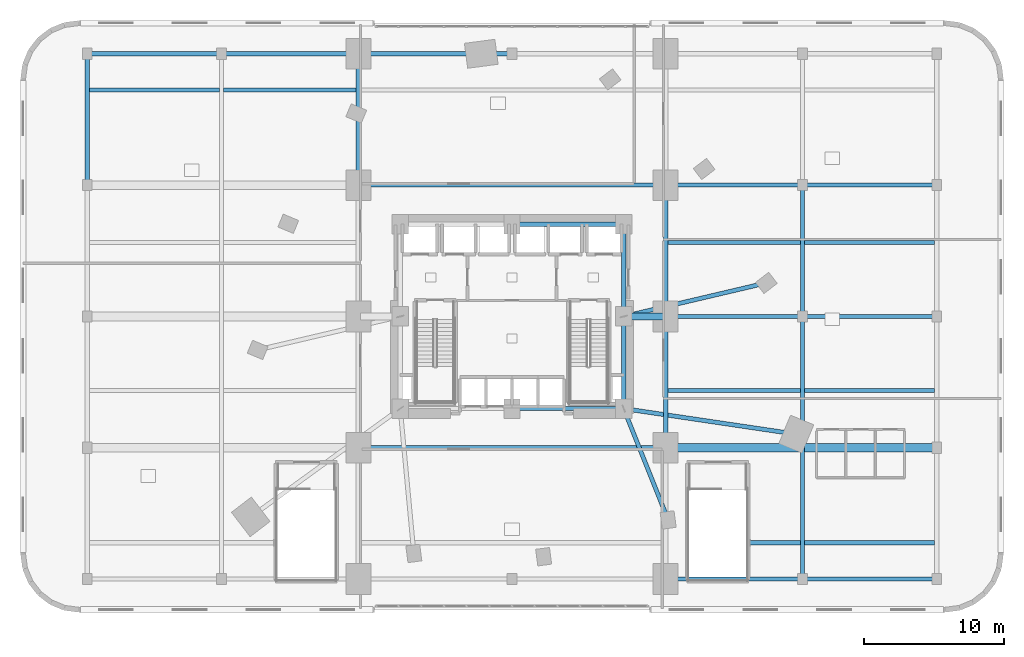
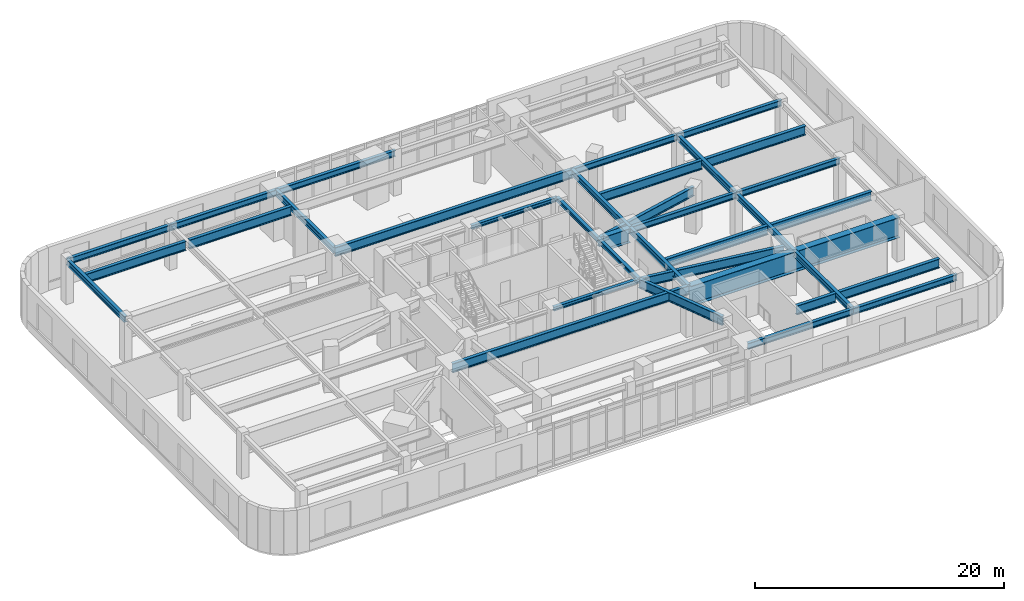
# One storey, part 7 of 20: 34 beams.
"""IFC4 building model written with IfcOpenShell, lengths in metres."""

import ifcopenshell
import ifcopenshell.guid

model = None  # the IFC model being written
_history = None  # IfcOwnerHistory: only IFC2X3 demands one
_inside = {}  # id of a spatial element -> (the spatial element, [elements in it])
_under = {}  # id of a project, library or spatial element -> (it, [spatial elements below it])
_declared = {}  # id of a project -> (the project, [libraries it declares])
_typed = {}  # id of a type object -> (the type object, [elements of that type])
_made_of = {}  # id of a material, layer set ... -> (it, [elements and type objects made of it])


def new_model(schema):
    """Start an empty IFC model of exactly this schema.

    Asked for "IFC4X3", IfcOpenShell would pick the latest addendum, in which some entities
    have other attributes; the version numbers below select the first issue.
    IFC2X3 requires an IfcOwnerHistory on every rooted entity: one is made here for all.
    """
    global model, _history
    if schema == "IFC4X3":
        model = ifcopenshell.file(schema_version=(4, 3, 0, 0))
    else:
        model = ifcopenshell.file(schema=schema)
    _inside.clear()
    _under.clear()
    _declared.clear()
    _typed.clear()
    _made_of.clear()
    _history = None
    if model.schema == "IFC2X3":
        org = make("IfcOrganization", Name="unknown")
        user = make(
            "IfcPersonAndOrganization",
            ThePerson=make("IfcPerson", FamilyName="unknown"),
            TheOrganization=org,
        )
        app = make(
            "IfcApplication",
            ApplicationDeveloper=org,
            Version="unknown",
            ApplicationFullName="unknown",
            ApplicationIdentifier="unknown",
        )
        _history = make(
            "IfcOwnerHistory",
            OwningUser=user,
            OwningApplication=app,
            ChangeAction="ADDED",
            CreationDate=0,
        )
    return model


def make(cls, **values):
    """One entity of the class cls with the attributes given. An attribute that is None is left unset."""
    return model.create_entity(
        cls, **{name: value for name, value in values.items() if value is not None}
    )


def rooted(cls, **values):
    """An entity with a GlobalId (a new one), such as an element, a storey or a relation."""
    return make(cls, GlobalId=ifcopenshell.guid.new(), OwnerHistory=_history, **values)


def si_unit(unit_type, name, prefix=None):
    """IfcSIUnit, for example si_unit("LENGTHUNIT", "METRE", prefix="MILLI")."""
    return make("IfcSIUnit", UnitType=unit_type, Prefix=prefix, Name=name)


def assignment(units):
    """IfcUnitAssignment: the units of a project."""
    return None if units is None else make("IfcUnitAssignment", Units=units)


def point(xyz):
    """IfcCartesianPoint."""
    return None if xyz is None else make("IfcCartesianPoint", Coordinates=xyz)


def direction(xyz):
    """IfcDirection."""
    return None if xyz is None else make("IfcDirection", DirectionRatios=xyz)


def frame(location, z_axis=None, x_axis=None):
    """IfcAxis2Placement3D, a coordinate frame: its origin and axes. An axis left out is left unset."""
    return make(
        "IfcAxis2Placement3D",
        Location=point(location),
        Axis=direction(z_axis),
        RefDirection=direction(x_axis),
    )


def frame_2d(location, x_axis=None):
    """IfcAxis2Placement2D, a coordinate frame in the plane: its origin and x axis."""
    return make(
        "IfcAxis2Placement2D", Location=point(location), RefDirection=direction(x_axis)
    )


def origin():
    """The frame at (0, 0, 0) with its axes left unset."""
    return frame((0.0, 0.0, 0.0))


def origin_2d():
    """The frame at (0, 0) in the plane with its x axis left unset."""
    return frame_2d((0.0, 0.0))


def place(relative_to, where):
    """IfcLocalPlacement: puts the frame where relative to a parent placement (None: the world)."""
    return make(
        "IfcLocalPlacement", PlacementRelTo=relative_to, RelativePlacement=where
    )


def context(
    kind, dimensions, precision=None, world=None, true_north=None, identifier=None
):
    """IfcGeometricRepresentationContext, for example the 3D "Model" context."""
    return make(
        "IfcGeometricRepresentationContext",
        ContextIdentifier=identifier,
        ContextType=kind,
        CoordinateSpaceDimension=dimensions,
        Precision=precision,
        WorldCoordinateSystem=world,
        TrueNorth=true_north,
    )


def subcontext(parent, identifier, kind, view, scale=None):
    """IfcGeometricRepresentationSubContext, for example "Body" below "Model"."""
    return make(
        "IfcGeometricRepresentationSubContext",
        ContextIdentifier=identifier,
        ContextType=kind,
        ParentContext=parent,
        TargetScale=scale,
        TargetView=view,
    )


def project(units=None, contexts=None):
    """IfcProject with its units and contexts."""
    return rooted(
        "IfcProject",
        Name="project",
        RepresentationContexts=contexts,
        UnitsInContext=assignment(units),
    )


def spatial(cls, under=None, at=None, **own):
    """A site, building, storey or space (cls), placed at a placement, below another one or the project."""
    s = rooted(cls, ObjectPlacement=at, **own)
    if under is not None:
        _under.setdefault(under.id(), (under, []))[1].append(s)
    return s


def profile(cls, at=None, kind="AREA", **sizes):
    """A parametric profile (cls). Its sizes go by their IFC names, for example OverallWidth=200.0."""
    return make(cls, ProfileType=kind, Position=at, **sizes)


def i_section(**sizes):
    """IfcIShapeProfileDef."""
    return profile("IfcIShapeProfileDef", **sizes)


def extrude(swept, where, along, depth):
    """IfcExtrudedAreaSolid: the profile swept, set in the frame where, extruded along a direction by depth."""
    return make(
        "IfcExtrudedAreaSolid",
        SweptArea=swept,
        Position=where,
        ExtrudedDirection=direction(along),
        Depth=depth,
    )


def shape(context_of_items, identifier, shape_type, items):
    """IfcShapeRepresentation: the items that make up one representation, for example the "Body"."""
    return make(
        "IfcShapeRepresentation",
        ContextOfItems=context_of_items,
        RepresentationIdentifier=identifier,
        RepresentationType=shape_type,
        Items=items,
    )


def material(Name=None, Category=None):
    """IfcMaterial."""
    return make("IfcMaterial", Name=Name, Category=Category)


def material_profile(
    of_material, cross_section, Name=None, Category=None, Priority=None
):
    """IfcMaterialProfile: a cross section and its material."""
    return make(
        "IfcMaterialProfile",
        Name=Name,
        Material=of_material,
        Profile=cross_section,
        Priority=Priority,
        Category=Category,
    )


def profile_set(profiles, Name=None, composite=None):
    """IfcMaterialProfileSet."""
    return make(
        "IfcMaterialProfileSet",
        Name=Name,
        MaterialProfiles=profiles,
        CompositeProfile=composite,
    )


def made_of(thing, what):
    """Note that an element or type object is made of a material, layer set ...; save() writes the relation."""
    if what is not None:
        _made_of.setdefault(what.id(), (what, []))[1].append(thing)
    return thing


def type_object(cls, material=None, **own):
    """A type object (cls), such as IfcWallType, which elements share."""
    return made_of(rooted(cls, **own), material)


def element(
    cls,
    number,
    at=None,
    inside=None,
    cuts=None,
    type_object=None,
    material=None,
    context=None,
    identifier="Body",
    shape_type=None,
    held_by="IfcProductDefinitionShape",
    body=None,
    shapes=None,
    **own,
):
    """One element of the class cls, such as IfcWall. Its Tag is "e" and its number.

    at: its placement. inside: the storey or other place that contains it. cuts: it is an
    opening in that element (IfcRelVoidsElement). A single representation is given by context,
    identifier, shape_type and body (its items); several are given by shapes. held_by: the class
    of the entity that holds the representations. save() writes the other relations.
    """
    e = rooted(cls, Tag="e%d" % number, ObjectPlacement=at, **own)
    if body is not None:
        shapes = [shape(context, identifier, shape_type, body)]
    if shapes is not None:
        e.Representation = make(held_by, Representations=shapes)
    if inside is not None:
        _inside.setdefault(inside.id(), (inside, []))[1].append(e)
    if cuts is not None:
        rooted(
            "IfcRelVoidsElement", RelatingBuildingElement=cuts, RelatedOpeningElement=e
        )
    if type_object is not None:
        _typed.setdefault(type_object.id(), (type_object, []))[1].append(e)
    return made_of(e, material)


def aggregate(whole, parts):
    """IfcRelAggregates: a whole, such as a stair, and the parts it consists of."""
    return rooted("IfcRelAggregates", RelatingObject=whole, RelatedObjects=parts)


def save(model, path):
    """Write the relations noted so far, then the file.

    IfcRelAggregates (storeys below a building ...), IfcRelContainedInSpatialStructure (elements
    in a storey), IfcRelDefinesByType, IfcRelAssociatesMaterial and IfcRelDeclares: one each for
    every whole, place, type object, material and project.
    """
    for whole, parts in _under.values():
        aggregate(whole, parts)
    for where, things in _inside.values():
        rooted(
            "IfcRelContainedInSpatialStructure",
            RelatedElements=things,
            RelatingStructure=where,
        )
    for kind, things in _typed.values():
        rooted("IfcRelDefinesByType", RelatedObjects=things, RelatingType=kind)
    for what, things in _made_of.values():
        rooted("IfcRelAssociatesMaterial", RelatedObjects=things, RelatingMaterial=what)
    for by, libraries in _declared.values():
        rooted("IfcRelDeclares", RelatingContext=by, RelatedDefinitions=libraries)
    model.write(path)


model = new_model("IFC4")

# Units and contexts
model_context = context("Model", 3, precision=1e-05, world=origin(), true_north=direction((0.0, 1.0)))
body_context = subcontext(model_context, "Body", "Model", "MODEL_VIEW")
ifc_project = project(units=[si_unit("LENGTHUNIT", "METRE"), si_unit("AREAUNIT", "SQUARE_METRE"), si_unit("VOLUMEUNIT", "CUBIC_METRE"), si_unit("PLANEANGLEUNIT", "RADIAN"), si_unit("MASSUNIT", "GRAM", prefix="KILO")], contexts=[model_context])

# Site, building, storey
site_placement = place(None, origin())
site = spatial("IfcSite", under=ifc_project, at=site_placement, CompositionType="ELEMENT")
building_placement = place(site_placement, origin())
building = spatial("IfcBuilding", under=site, at=building_placement, Name="Ndelora Gate Hotel", CompositionType="ELEMENT")
storey_placement = place(building_placement, frame((0.0, 0.0, 26.0)))
storey = spatial("IfcBuildingStorey", under=building, at=storey_placement, Name="L05", CompositionType="ELEMENT", Elevation=26.0)

# Beams
ifc_material_1 = material(Name="Steel S460", Category="steel")
ifc_material_profile_1 = material_profile(ifc_material_1, i_section(OverallWidth=0.300048828125, OverallDepth=0.89990234375, WebThickness=0.0185546875, FlangeThickness=0.034912109375, FilletRadius=0.030029296875, at=origin_2d()), Name="HEB 900")
ifc_profile_set_1 = profile_set([ifc_material_profile_1], Name="Steel S460")
beam_type_1 = type_object("IfcBeamType", Name="BM-BELT-900", PredefinedType="SPANDREL", material=ifc_profile_set_1)
beam_1_placement = place(storey_placement, frame((16.989990234375, -16.199951171875, 3.7900390625), z_axis=(1.0, 0.0, 0.0), x_axis=(0.0, 1.0, 0.0)))
element("IfcBeam", 1, at=beam_1_placement, inside=storey, type_object=beam_type_1, Name="L05 Podium Composite Secondary Joist 4", PredefinedType="SPANDREL", context=body_context, shape_type="SweptSolid", body=[
    extrude(i_section(OverallWidth=0.300048828125, OverallDepth=0.89990234375, WebThickness=0.0185546875, FlangeThickness=0.034912109375, FilletRadius=0.030029296875, at=origin_2d()), origin(), (0.0, 0.0, 1.0), 3.659912109375),
])
beam_2_placement = place(storey_placement, frame((20.949951171875, -16.199951171875, 3.7900390625), z_axis=(1.0, 0.0, 0.0), x_axis=(0.0, 1.0, 0.0)))
element("IfcBeam", 2, at=beam_2_placement, inside=storey, type_object=beam_type_1, Name="L05 Podium Composite Secondary Joist 5", PredefinedType="SPANDREL", context=body_context, shape_type="SweptSolid", body=[
    extrude(i_section(OverallWidth=0.300048828125, OverallDepth=0.89990234375, WebThickness=0.0185546875, FlangeThickness=0.034912109375, FilletRadius=0.030029296875, at=origin_2d()), origin(), (0.0, 0.0, 1.0), 9.300048828125),
])
beam_3_placement = place(storey_placement, frame((11.14990234375, -5.300048828125, 3.800048828125), z_axis=(1.0, 0.0, 0.0), x_axis=(0.0, 1.0, 0.0)))
element("IfcBeam", 3, at=beam_3_placement, inside=storey, type_object=beam_type_1, Name="L05 Podium Composite Secondary Joist 4", PredefinedType="SPANDREL", context=body_context, shape_type="SweptSolid", body=[
    extrude(i_section(OverallWidth=0.300048828125, OverallDepth=0.89990234375, WebThickness=0.0185546875, FlangeThickness=0.034912109375, FilletRadius=0.030029296875, at=origin_2d()), origin(), (0.0, 0.0, 1.0), 9.5),
])
beam_4_placement = place(storey_placement, frame((20.949951171875, -5.300048828125, 3.7900390625), z_axis=(1.0, 0.0, 0.0), x_axis=(0.0, 1.0, 0.0)))
element("IfcBeam", 4, at=beam_4_placement, inside=storey, type_object=beam_type_1, Name="L05 Podium Composite Secondary Joist 5", PredefinedType="SPANDREL", context=body_context, shape_type="SweptSolid", body=[
    extrude(i_section(OverallWidth=0.300048828125, OverallDepth=0.89990234375, WebThickness=0.0185546875, FlangeThickness=0.034912109375, FilletRadius=0.030029296875, at=origin_2d()), origin(), (0.0, 0.0, 1.0), 9.300048828125),
])
beam_5_placement = place(storey_placement, frame((11.14990234375, 5.300048828125, 3.7900390625), z_axis=(1.0, 0.0, 0.0), x_axis=(0.0, 1.0, 0.0)))
element("IfcBeam", 5, at=beam_5_placement, inside=storey, type_object=beam_type_1, Name="L05 Podium Composite Secondary Joist 4", PredefinedType="SPANDREL", context=body_context, shape_type="SweptSolid", body=[
    extrude(i_section(OverallWidth=0.300048828125, OverallDepth=0.89990234375, WebThickness=0.0185546875, FlangeThickness=0.034912109375, FilletRadius=0.030029296875, at=origin_2d()), origin(), (0.0, 0.0, 1.0), 9.5),
])
for number, where, z_axis, x_axis, name in (
    (6, (20.949951171875, 5.300048828125, 3.7900390625), (1.0, 0.0, 0.0), (0.0, 1.0, 0.0), "L05 Podium Composite Secondary Joist 5"),
    (7, (-30.25, 16.199951171875, 3.7900390625), (1.0, 0.0, 0.0), (0.0, 1.0, 0.0), "L05 Podium Composite Secondary Joist 1"),
):
    element("IfcBeam", number, at=place(storey_placement, frame(where, z_axis=z_axis, x_axis=x_axis)), inside=storey, type_object=beam_type_1, Name=name, PredefinedType="SPANDREL", context=body_context, shape_type="SweptSolid", body=[
        extrude(i_section(OverallWidth=0.300048828125, OverallDepth=0.89990234375, WebThickness=0.0185546875, FlangeThickness=0.034912109375, FilletRadius=0.030029296875, at=origin_2d()), origin(), (0.0, 0.0, 1.0), 9.300048828125),
    ])
beam_6_placement = place(storey_placement, frame((-20.64990234375, 16.199951171875, 3.7900390625), z_axis=(1.0, 0.0, 0.0), x_axis=(0.0, 1.0, 0.0)))
element("IfcBeam", 8, at=beam_6_placement, inside=storey, type_object=beam_type_1, Name="L05 Podium Composite Secondary Joist 2", PredefinedType="SPANDREL", context=body_context, shape_type="SweptSolid", body=[
    extrude(i_section(OverallWidth=0.300048828125, OverallDepth=0.89990234375, WebThickness=0.0185546875, FlangeThickness=0.034912109375, FilletRadius=0.030029296875, at=origin_2d()), origin(), (0.0, 0.0, 1.0), 9.5),
])
for number, where, z_axis, x_axis, name in (
    (9, (-11.0, -9.39990234375, 3.800048828125), (1.0, 0.0, 0.0), (0.0, 1.0, 0.0), "L05 structural beam BB-1"),
    (10, (-11.0, 9.39990234375, 3.800048828125), (1.0, 0.0, 0.0), (0.0, 1.0, 0.0), "L05 structural beam BB-1"),
):
    element("IfcBeam", number, at=place(storey_placement, frame(where, z_axis=z_axis, x_axis=x_axis)), inside=storey, type_object=beam_type_1, Name=name, PredefinedType="SPANDREL", context=body_context, shape_type="SweptSolid", body=[
        extrude(i_section(OverallWidth=0.300048828125, OverallDepth=0.89990234375, WebThickness=0.0185546875, FlangeThickness=0.034912109375, FilletRadius=0.030029296875, at=origin_2d()), origin(), (0.0, 0.0, 1.0), 22.0),
    ])
beam_7_placement = place(storey_placement, frame((8.0, -6.60009765625, 3.800048828125), z_axis=(0.37056142644, -0.92880796144, 0.0), x_axis=(0.92880796144, 0.37056142644, 0.0)))
element("IfcBeam", 11, at=beam_7_placement, inside=storey, type_object=beam_type_1, Name="L05 Tower Root Radial Tie Beam 8", PredefinedType="SPANDREL", context=body_context, shape_type="SweptSolid", body=[
    extrude(i_section(OverallWidth=0.300048828125, OverallDepth=0.89990234375, WebThickness=0.0185546875, FlangeThickness=0.034912109375, FilletRadius=0.030029296875, at=origin_2d()), origin(), (0.0, 0.0, 1.0), 8.580078125),
])
beam_8_placement = place(storey_placement, frame((8.0, -6.60009765625, 3.800048828125), z_axis=(0.989209761041, -0.146506138649, 0.0), x_axis=(0.146506138649, 0.989209761041, 0.0)))
element("IfcBeam", 12, at=beam_8_placement, inside=storey, type_object=beam_type_1, Name="L05 Tower Root Radial Tie Beam 9", PredefinedType="SPANDREL", context=body_context, shape_type="SweptSolid", body=[
    extrude(i_section(OverallWidth=0.300048828125, OverallDepth=0.89990234375, WebThickness=0.0185546875, FlangeThickness=0.034912109375, FilletRadius=0.030029296875, at=origin_2d()), origin(), (0.0, 0.0, 1.0), 12.48486328125),
])
beam_9_placement = place(storey_placement, frame((8.0, 0.0, 3.800048828125), z_axis=(0.973517848051, 0.22861102232, 0.0), x_axis=(-0.22861102232, 0.973517848051, 0.0)))
element("IfcBeam", 13, at=beam_9_placement, inside=storey, type_object=beam_type_1, Name="L05 Tower Root Radial Tie Beam 10", PredefinedType="SPANDREL", context=body_context, shape_type="SweptSolid", body=[
    extrude(i_section(OverallWidth=0.300048828125, OverallDepth=0.89990234375, WebThickness=0.0185546875, FlangeThickness=0.034912109375, FilletRadius=0.030029296875, at=origin_2d()), origin(), (0.0, 0.0, 1.0), 10.48486328125),
])
ifc_material_2 = material(Name="Steel S355", Category="steel")
ifc_material_profile_2 = material_profile(ifc_material_2, i_section(OverallWidth=0.300048828125, OverallDepth=0.39990234375, WebThickness=0.013427734375, FlangeThickness=0.02392578125, FilletRadius=0.027099609375, at=origin_2d()), Name="HEB 400")
ifc_profile_set_2 = profile_set([ifc_material_profile_2], Name="Steel S355")
beam_type_2 = type_object("IfcBeamType", Name="BM-CORE-400", PredefinedType="BEAM", material=ifc_profile_set_2)
beam_10_placement = place(storey_placement, frame((0.0, 6.60009765625, 4.050048828125), z_axis=(1.0, 0.0, 0.0), x_axis=(0.0, 1.0, 0.0)))
element("IfcBeam", 14, at=beam_10_placement, inside=storey, type_object=beam_type_2, Name="L05 Core Tie Girder CC6-CC5", PredefinedType="BEAM", context=body_context, shape_type="SweptSolid", body=[
    extrude(i_section(OverallWidth=0.300048828125, OverallDepth=0.39990234375, WebThickness=0.013427734375, FlangeThickness=0.02392578125, FilletRadius=0.027099609375, at=origin_2d()), origin(), (0.0, 0.0, 1.0), 8.0),
])
for number, where, z_axis, x_axis, name in (
    (15, (8.0, -6.60009765625, 4.050048828125), (0.0, 1.0, 0.0), (-1.0, 0.0, 0.0), "L05 Core Tie Girder CC3-CC4"),
    (16, (8.0, 0.0, 4.050048828125), (0.0, 1.0, 0.0), (-1.0, 0.0, 0.0), "L05 Core Tie Girder CC4-CC5"),
):
    element("IfcBeam", number, at=place(storey_placement, frame(where, z_axis=z_axis, x_axis=x_axis)), inside=storey, type_object=beam_type_2, Name=name, PredefinedType="BEAM", context=body_context, shape_type="SweptSolid", body=[
        extrude(i_section(OverallWidth=0.300048828125, OverallDepth=0.39990234375, WebThickness=0.013427734375, FlangeThickness=0.02392578125, FilletRadius=0.027099609375, at=origin_2d()), origin(), (0.0, 0.0, 1.0), 6.60009765625),
    ])
beam_11_placement = place(storey_placement, frame((0.0, -6.60009765625, 4.050048828125), z_axis=(1.0, 0.0, 0.0), x_axis=(0.0, 1.0, 0.0)))
element("IfcBeam", 17, at=beam_11_placement, inside=storey, type_object=beam_type_2, Name="L05 Core Tie Girder CC2-CC3", PredefinedType="BEAM", context=body_context, shape_type="SweptSolid", body=[
    extrude(i_section(OverallWidth=0.300048828125, OverallDepth=0.39990234375, WebThickness=0.013427734375, FlangeThickness=0.02392578125, FilletRadius=0.027099609375, at=origin_2d()), origin(), (0.0, 0.0, 1.0), 8.0),
])
ifc_material_profile_3 = material_profile(ifc_material_2, i_section(OverallWidth=0.300048828125, OverallDepth=0.60009765625, WebThickness=0.015380859375, FlangeThickness=0.030029296875, FilletRadius=0.027099609375, at=origin_2d()), Name="HEB 600")
ifc_profile_set_3 = profile_set([ifc_material_profile_3], Name="Steel S355")
beam_type_3 = type_object("IfcBeamType", Name="BM-POD-600", PredefinedType="BEAM", material=ifc_profile_set_3)
for number, where, z_axis, x_axis, name in (
    (18, (-30.39990234375, 9.39990234375, 3.93994140625), (0.0, 1.0, 0.0), (-1.0, 0.0, 0.0), "L05 Podium Longitudinal Girder X=-30.4"),
    (19, (-11.0, 9.39990234375, 3.93994140625), (0.0, 1.0, 0.0), (-1.0, 0.0, 0.0), "L05 Podium Longitudinal Girder X=-11.0"),
):
    element("IfcBeam", number, at=place(storey_placement, frame(where, z_axis=z_axis, x_axis=x_axis)), inside=storey, type_object=beam_type_3, Name=name, PredefinedType="BEAM", context=body_context, shape_type="SweptSolid", body=[
        extrude(i_section(OverallWidth=0.300048828125, OverallDepth=0.60009765625, WebThickness=0.015380859375, FlangeThickness=0.030029296875, FilletRadius=0.027099609375, at=origin_2d()), origin(), (0.0, 0.0, 1.0), 9.400146484375),
    ])
for number, where, z_axis, x_axis, name in (
    (20, (11.0, -9.39990234375, 3.949951171875), (0.0, 1.0, 0.0), (-1.0, 0.0, 0.0), "L05 Podium Longitudinal Girder X=+11.0"),
    (21, (11.0, 0.0, 3.949951171875), (0.0, 1.0, 0.0), (-1.0, 0.0, 0.0), "L05 Podium Longitudinal Girder X=+11.0"),
):
    element("IfcBeam", number, at=place(storey_placement, frame(where, z_axis=z_axis, x_axis=x_axis)), inside=storey, type_object=beam_type_3, Name=name, PredefinedType="BEAM", context=body_context, shape_type="SweptSolid", body=[
        extrude(i_section(OverallWidth=0.300048828125, OverallDepth=0.60009765625, WebThickness=0.015380859375, FlangeThickness=0.030029296875, FilletRadius=0.027099609375, at=origin_2d()), origin(), (0.0, 0.0, 1.0), 9.39990234375),
    ])
beam_12_placement = place(storey_placement, frame((20.800048828125, -18.800048828125, 3.93994140625), z_axis=(0.0, 1.0, 0.0), x_axis=(-1.0, 0.0, 0.0)))
element("IfcBeam", 22, at=beam_12_placement, inside=storey, type_object=beam_type_3, Name="L05 Podium Longitudinal Girder X=+20.8", PredefinedType="BEAM", context=body_context, shape_type="SweptSolid", body=[
    extrude(i_section(OverallWidth=0.300048828125, OverallDepth=0.60009765625, WebThickness=0.015380859375, FlangeThickness=0.030029296875, FilletRadius=0.027099609375, at=origin_2d()), origin(), (0.0, 0.0, 1.0), 18.800048828125),
])
beam_13_placement = place(storey_placement, frame((20.800048828125, 0.0, 3.93994140625), z_axis=(0.0, 1.0, 0.0), x_axis=(-1.0, 0.0, 0.0)))
element("IfcBeam", 23, at=beam_13_placement, inside=storey, type_object=beam_type_3, Name="L05 Podium Longitudinal Girder X=+20.8", PredefinedType="BEAM", context=body_context, shape_type="SweptSolid", body=[
    extrude(i_section(OverallWidth=0.300048828125, OverallDepth=0.60009765625, WebThickness=0.015380859375, FlangeThickness=0.030029296875, FilletRadius=0.027099609375, at=origin_2d()), origin(), (0.0, 0.0, 1.0), 9.39990234375),
])
beam_14_placement = place(storey_placement, frame((11.0, -18.800048828125, 3.93994140625), z_axis=(1.0, 0.0, 0.0), x_axis=(0.0, 1.0, 0.0)))
element("IfcBeam", 24, at=beam_14_placement, inside=storey, type_object=beam_type_3, Name="L05 Podium Transverse Girder Y=-18.8", PredefinedType="BEAM", context=body_context, shape_type="SweptSolid", body=[
    extrude(i_section(OverallWidth=0.300048828125, OverallDepth=0.60009765625, WebThickness=0.015380859375, FlangeThickness=0.030029296875, FilletRadius=0.027099609375, at=origin_2d()), origin(), (0.0, 0.0, 1.0), 9.800048828125),
])
beam_15_placement = place(storey_placement, frame((20.800048828125, -18.800048828125, 3.93994140625), z_axis=(1.0, 0.0, 0.0), x_axis=(0.0, 1.0, 0.0)))
element("IfcBeam", 25, at=beam_15_placement, inside=storey, type_object=beam_type_3, Name="L05 Podium Transverse Girder Y=-18.8", PredefinedType="BEAM", context=body_context, shape_type="SweptSolid", body=[
    extrude(i_section(OverallWidth=0.300048828125, OverallDepth=0.60009765625, WebThickness=0.015380859375, FlangeThickness=0.030029296875, FilletRadius=0.027099609375, at=origin_2d()), origin(), (0.0, 0.0, 1.0), 9.599853515625),
])
beam_16_placement = place(storey_placement, frame((11.0, 0.0, 3.949951171875), z_axis=(1.0, 0.0, 0.0), x_axis=(0.0, 1.0, 0.0)))
element("IfcBeam", 26, at=beam_16_placement, inside=storey, type_object=beam_type_3, Name="L05 Podium Transverse Girder Y=+0.0", PredefinedType="BEAM", context=body_context, shape_type="SweptSolid", body=[
    extrude(i_section(OverallWidth=0.300048828125, OverallDepth=0.60009765625, WebThickness=0.015380859375, FlangeThickness=0.030029296875, FilletRadius=0.027099609375, at=origin_2d()), origin(), (0.0, 0.0, 1.0), 9.800048828125),
])
beam_17_placement = place(storey_placement, frame((20.800048828125, 0.0, 3.93994140625), z_axis=(1.0, 0.0, 0.0), x_axis=(0.0, 1.0, 0.0)))
element("IfcBeam", 27, at=beam_17_placement, inside=storey, type_object=beam_type_3, Name="L05 Podium Transverse Girder Y=+0.0", PredefinedType="BEAM", context=body_context, shape_type="SweptSolid", body=[
    extrude(i_section(OverallWidth=0.300048828125, OverallDepth=0.60009765625, WebThickness=0.015380859375, FlangeThickness=0.030029296875, FilletRadius=0.027099609375, at=origin_2d()), origin(), (0.0, 0.0, 1.0), 9.599853515625),
])
beam_18_placement = place(storey_placement, frame((11.0, 9.39990234375, 3.93994140625), z_axis=(1.0, 0.0, 0.0), x_axis=(0.0, 1.0, 0.0)))
element("IfcBeam", 28, at=beam_18_placement, inside=storey, type_object=beam_type_3, Name="L05 Podium Transverse Girder Y=+9.4", PredefinedType="BEAM", context=body_context, shape_type="SweptSolid", body=[
    extrude(i_section(OverallWidth=0.300048828125, OverallDepth=0.60009765625, WebThickness=0.015380859375, FlangeThickness=0.030029296875, FilletRadius=0.027099609375, at=origin_2d()), origin(), (0.0, 0.0, 1.0), 9.800048828125),
])
for number, where, z_axis, x_axis, name in (
    (29, (20.800048828125, 9.39990234375, 3.93994140625), (1.0, 0.0, 0.0), (0.0, 1.0, 0.0), "L05 Podium Transverse Girder Y=+9.4"),
    (30, (-30.39990234375, 18.800048828125, 3.93994140625), (1.0, 0.0, 0.0), (0.0, 1.0, 0.0), "L05 Podium Transverse Girder Y=+18.8"),
):
    element("IfcBeam", number, at=place(storey_placement, frame(where, z_axis=z_axis, x_axis=x_axis)), inside=storey, type_object=beam_type_3, Name=name, PredefinedType="BEAM", context=body_context, shape_type="SweptSolid", body=[
        extrude(i_section(OverallWidth=0.300048828125, OverallDepth=0.60009765625, WebThickness=0.015380859375, FlangeThickness=0.030029296875, FilletRadius=0.027099609375, at=origin_2d()), origin(), (0.0, 0.0, 1.0), 9.599853515625),
    ])
beam_19_placement = place(storey_placement, frame((-20.800048828125, 18.800048828125, 3.93994140625), z_axis=(1.0, 0.0, 0.0), x_axis=(0.0, 1.0, 0.0)))
element("IfcBeam", 31, at=beam_19_placement, inside=storey, type_object=beam_type_3, Name="L05 Podium Transverse Girder Y=+18.8", PredefinedType="BEAM", context=body_context, shape_type="SweptSolid", body=[
    extrude(i_section(OverallWidth=0.300048828125, OverallDepth=0.60009765625, WebThickness=0.015380859375, FlangeThickness=0.030029296875, FilletRadius=0.027099609375, at=origin_2d()), origin(), (0.0, 0.0, 1.0), 9.800048828125),
])
beam_20_placement = place(storey_placement, frame((-11.0, 18.800048828125, 3.93994140625), z_axis=(1.0, 0.0, 0.0), x_axis=(0.0, 1.0, 0.0)))
element("IfcBeam", 32, at=beam_20_placement, inside=storey, type_object=beam_type_3, Name="L05 Podium Transverse Girder Y=+18.8", PredefinedType="BEAM", context=body_context, shape_type="SweptSolid", body=[
    extrude(i_section(OverallWidth=0.300048828125, OverallDepth=0.60009765625, WebThickness=0.015380859375, FlangeThickness=0.030029296875, FilletRadius=0.027099609375, at=origin_2d()), origin(), (0.0, 0.0, 1.0), 11.0),
])
ifc_material_profile_4 = material_profile(ifc_material_1, i_section(OverallWidth=0.5, OverallDepth=1.39990234375, WebThickness=0.02392578125, FlangeThickness=0.035888671875, FilletRadius=0.02197265625, at=origin_2d()), Name="PG 1400x500x36")
ifc_profile_set_4 = profile_set([ifc_material_profile_4], Name="Steel S460")
beam_type_4 = type_object("IfcBeamType", Name="BM-TR-1400", PredefinedType="BEAM", material=ifc_profile_set_4)
beam_21_placement = place(storey_placement, frame((8.5, 0.0, 3.550048828125), z_axis=(1.0, 0.0, 0.0), x_axis=(0.0, 1.0, 0.0)))
element("IfcBeam", 33, at=beam_21_placement, inside=storey, type_object=beam_type_4, Name="L05 structural beam TG-3", PredefinedType="BEAM", context=body_context, shape_type="SweptSolid", body=[
    extrude(i_section(OverallWidth=0.5, OverallDepth=1.39990234375, WebThickness=0.02392578125, FlangeThickness=0.035888671875, FilletRadius=0.02197265625, at=origin_2d()), origin(), (0.0, 0.0, 1.0), 2.35009765625),
])
ifc_material_profile_5 = material_profile(ifc_material_1, i_section(OverallWidth=0.6201171875, OverallDepth=2.0, WebThickness=0.028076171875, FlangeThickness=0.0400390625, FilletRadius=0.02392578125, at=origin_2d()), Name="PG 2000x620x40")
ifc_profile_set_5 = profile_set([ifc_material_profile_5], Name="Steel S460")
beam_type_5 = type_object("IfcBeamType", Name="BM-TR-2000", PredefinedType="BEAM", material=ifc_profile_set_5)
beam_22_placement = place(storey_placement, frame((11.0, -9.39990234375, 3.239990234375), z_axis=(1.0, 0.0, 0.0), x_axis=(0.0, 1.0, 0.0)))
element("IfcBeam", 34, at=beam_22_placement, inside=storey, type_object=beam_type_5, Name="L05 Podium Transverse Girder Y=-9.4", PredefinedType="BEAM", context=body_context, shape_type="SweptSolid", body=[
    extrude(i_section(OverallWidth=0.6201171875, OverallDepth=2.0, WebThickness=0.028076171875, FlangeThickness=0.0400390625, FilletRadius=0.02392578125, at=origin_2d()), origin(), (0.0, 0.0, 1.0), 19.39990234375),
])

save(model, "model.ifc")
